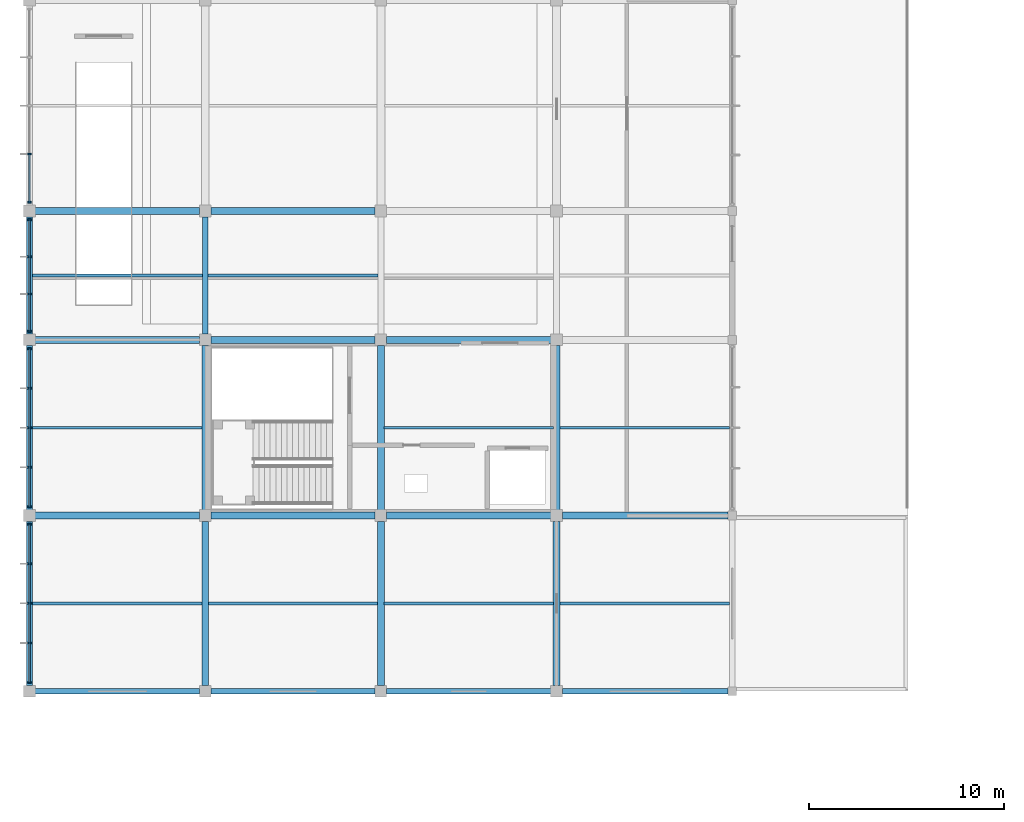
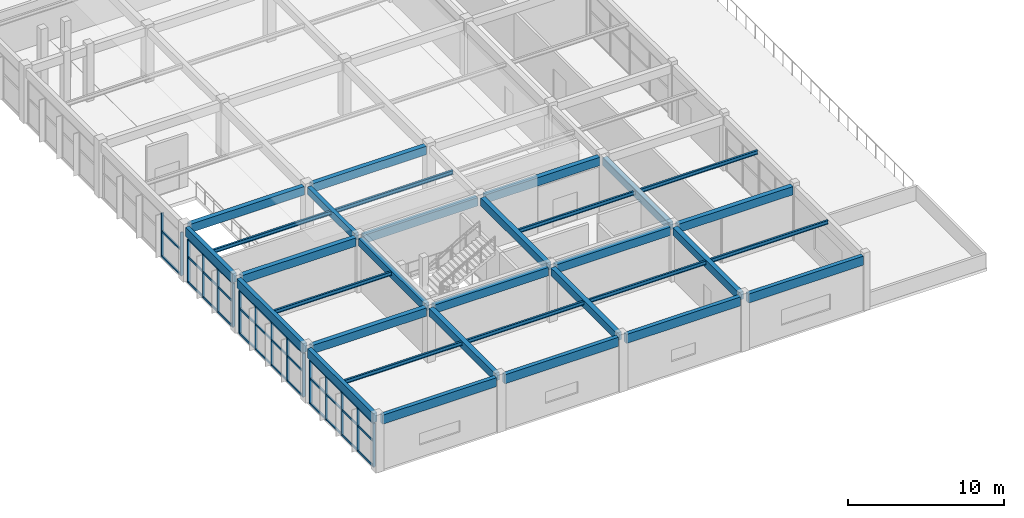
# One storey, part 8 of 89: 43 members, 32 beams, 4 elements without a shape of their own.
"""IFC4 building model written with IfcOpenShell, lengths in metres."""

from ifc_helpers import new_model, si_unit, direction, frame, origin, origin_2d, place, context, subcontext, project, spatial, rectangle, i_section, extrude, material, material_profile, profile_set, type_object, element, aggregate, save


model = new_model("IFC4")

# Units and contexts
model_context = context("Model", 3, precision=1e-05, world=origin(), true_north=direction((0.0, 1.0)))
body_context = subcontext(model_context, "Body", "Model", "MODEL_VIEW")
ifc_project = project(units=[si_unit("LENGTHUNIT", "METRE"), si_unit("AREAUNIT", "SQUARE_METRE"), si_unit("VOLUMEUNIT", "CUBIC_METRE"), si_unit("PLANEANGLEUNIT", "RADIAN"), si_unit("MASSUNIT", "GRAM", prefix="KILO")], contexts=[model_context])

# Site, building, storey
site_placement = place(None, origin())
site = spatial("IfcSite", under=ifc_project, at=site_placement, CompositionType="ELEMENT")
building_placement = place(site_placement, origin())
building = spatial("IfcBuilding", under=site, at=building_placement, Name="Suirenkawa Promenade Aquatics Centre", CompositionType="ELEMENT")
storey_placement = place(building_placement, frame((0.0, 0.0, 9.60009765625)))
storey = spatial("IfcBuildingStorey", under=building, at=storey_placement, Name="L02", CompositionType="ELEMENT", Elevation=9.60009765625)

# Beams
ifc_material_1 = material(Name="Steel IS 2062 E350 (Grade 350)", Category="steel")
ifc_material_profile_1 = material_profile(ifc_material_1, i_section(OverallWidth=0.139892578125, OverallDepth=0.300048828125, WebThickness=0.008056640625, FlangeThickness=0.012939453125, at=origin_2d()), Name="ISMB 300", Category="steel")
ifc_profile_set_1 = profile_set([ifc_material_profile_1], Name="Steel IS 2062 E350 (Grade 350)")
beam_type_1 = type_object("IfcBeamType", Name="BT-JOIST-ISMB300", PredefinedType="JOIST", material=ifc_profile_set_1)
for number, where, z_axis, x_axis, name in (
    (1, (0.14404296875, 8.699951171875, 4.087890625), (1.0, 0.0, 0.0), (0.0, 1.0, 0.0), "Secondary floor joist JS-02 BM-0690"),
    (2, (0.14404296875, 17.699951171875, 4.087890625), (1.0, 0.0, 0.0), (0.0, 1.0, 0.0), "Secondary floor joist JS-02 BM-0691"),
):
    element("IfcBeam", number, at=place(storey_placement, frame(where, z_axis=z_axis, x_axis=x_axis)), inside=storey, type_object=beam_type_1, Name=name, PredefinedType="JOIST", context=body_context, shape_type="SweptSolid", body=[
        extrude(i_section(OverallWidth=0.139892578125, OverallDepth=0.300048828125, WebThickness=0.008056640625, FlangeThickness=0.012939453125, at=origin_2d()), origin(), (0.0, 0.0, 1.0), 8.68701171875),
    ])
beam_1_placement = place(storey_placement, frame((0.14404296875, 25.5, 4.087890625), z_axis=(1.0, 0.0, 0.0), x_axis=(0.0, 1.0, 0.0)))
element("IfcBeam", 3, at=beam_1_placement, inside=storey, type_object=beam_type_1, Name="Secondary floor joist JS-02 BM-0692", PredefinedType="JOIST", context=body_context, shape_type="SweptSolid", body=[
    extrude(i_section(OverallWidth=0.139892578125, OverallDepth=0.300048828125, WebThickness=0.008056640625, FlangeThickness=0.012939453125, at=origin_2d()), origin(), (0.0, 0.0, 1.0), 8.7119140625),
])
beam_2_placement = place(storey_placement, frame((9.1689453125, 8.699951171875, 4.087890625), z_axis=(1.0, 0.0, 0.0), x_axis=(0.0, 1.0, 0.0)))
element("IfcBeam", 4, at=beam_2_placement, inside=storey, type_object=beam_type_1, Name="Secondary floor joist JS-02 BM-0702", PredefinedType="JOIST", context=body_context, shape_type="SweptSolid", body=[
    extrude(i_section(OverallWidth=0.139892578125, OverallDepth=0.300048828125, WebThickness=0.008056640625, FlangeThickness=0.012939453125, at=origin_2d()), origin(), (0.0, 0.0, 1.0), 8.662109375),
])
beam_3_placement = place(storey_placement, frame((9.14404296875, 25.5, 4.087890625), z_axis=(1.0, 0.0, 0.0), x_axis=(0.0, 1.0, 0.0)))
element("IfcBeam", 5, at=beam_3_placement, inside=storey, type_object=beam_type_1, Name="Secondary floor joist JS-02 BM-0703", PredefinedType="JOIST", context=body_context, shape_type="SweptSolid", body=[
    extrude(i_section(OverallWidth=0.139892578125, OverallDepth=0.300048828125, WebThickness=0.008056640625, FlangeThickness=0.012939453125, at=origin_2d()), origin(), (0.0, 0.0, 1.0), 8.7119140625),
])
for number, where, z_axis, x_axis, name in (
    (6, (18.1689453125, 8.699951171875, 4.087890625), (1.0, 0.0, 0.0), (0.0, 1.0, 0.0), "Secondary floor joist JS-02 BM-0712"),
    (7, (18.1689453125, 17.699951171875, 4.087890625), (1.0, 0.0, 0.0), (0.0, 1.0, 0.0), "Secondary floor joist JS-02 BM-0713"),
):
    element("IfcBeam", number, at=place(storey_placement, frame(where, z_axis=z_axis, x_axis=x_axis)), inside=storey, type_object=beam_type_1, Name=name, PredefinedType="JOIST", context=body_context, shape_type="SweptSolid", body=[
        extrude(i_section(OverallWidth=0.139892578125, OverallDepth=0.300048828125, WebThickness=0.008056640625, FlangeThickness=0.012939453125, at=origin_2d()), origin(), (0.0, 0.0, 1.0), 8.662109375),
    ])
for number, where, z_axis, x_axis, name in (
    (8, (27.1689453125, 8.699951171875, 4.087890625), (1.0, 0.0, 0.0), (0.0, 1.0, 0.0), "Secondary floor joist JS-02 BM-0724"),
    (9, (27.1689453125, 17.699951171875, 4.087890625), (1.0, 0.0, 0.0), (0.0, 1.0, 0.0), "Secondary floor joist JS-02 BM-0725"),
):
    element("IfcBeam", number, at=place(storey_placement, frame(where, z_axis=z_axis, x_axis=x_axis)), inside=storey, type_object=beam_type_1, Name=name, PredefinedType="JOIST", context=body_context, shape_type="SweptSolid", body=[
        extrude(i_section(OverallWidth=0.139892578125, OverallDepth=0.300048828125, WebThickness=0.008056640625, FlangeThickness=0.012939453125, at=origin_2d()), origin(), (0.0, 0.0, 1.0), 8.68701171875),
    ])
ifc_material_2 = material(Name="Concrete M35", Category="concrete")
ifc_material_profile_2 = material_profile(ifc_material_2, rectangle(XDim=0.300048828125, YDim=0.550048828125, at=origin_2d()), Name="RC BM 300x550", Category="concrete")
ifc_profile_set_2 = profile_set([ifc_material_profile_2], Name="Concrete M35")
beam_type_2 = type_object("IfcBeamType", Name="BT-RC-300x550", PredefinedType="BEAM", material=ifc_profile_set_2)
beam_4_placement = place(storey_placement, frame((9.0, 22.493896484375, 3.96484375), z_axis=(0.0, 1.0, 0.0), x_axis=(-1.0, 0.0, 0.0)))
element("IfcBeam", 10, at=beam_4_placement, inside=storey, type_object=beam_type_2, Name="Floor beam BM-01 BM-0644", PredefinedType="BEAM", context=body_context, shape_type="SweptSolid", body=[
    extrude(rectangle(XDim=0.300048828125, YDim=0.550048828125, at=origin_2d()), origin(), (0.0, 0.0, 1.0), 6.01220703125),
])
ifc_material_profile_3 = material_profile(ifc_material_2, rectangle(XDim=0.35009765625, YDim=0.60009765625, at=origin_2d()), Name="RC BM 350x600", Category="concrete")
ifc_profile_set_3 = profile_set([ifc_material_profile_3], Name="Concrete M35")
beam_type_3 = type_object("IfcBeamType", Name="BT-RC-350x600", PredefinedType="BEAM", material=ifc_profile_set_3)
for number, where, z_axis, x_axis, name in (
    (11, (9.0, 4.493896484375, 3.93994140625), (0.0, 1.0, 0.0), (-1.0, 0.0, 0.0), "Floor beam BM-02 BM-0642"),
    (12, (9.0, 13.493896484375, 3.93994140625), (0.0, 1.0, 0.0), (-1.0, 0.0, 0.0), "Floor beam BM-02 BM-0643"),
    (13, (18.0, 4.493896484375, 3.93994140625), (0.0, 1.0, 0.0), (-1.0, 0.0, 0.0), "Floor beam BM-02 BM-0654"),
    (14, (18.0, 13.493896484375, 3.93994140625), (0.0, 1.0, 0.0), (-1.0, 0.0, 0.0), "Floor beam BM-02 BM-0655"),
    (15, (27.0, 4.493896484375, 3.93994140625), (0.0, 1.0, 0.0), (-1.0, 0.0, 0.0), "Floor beam BM-02 BM-0666"),
    (16, (27.0, 13.493896484375, 3.93994140625), (0.0, 1.0, 0.0), (-1.0, 0.0, 0.0), "Floor beam BM-02 BM-0667"),
):
    element("IfcBeam", number, at=place(storey_placement, frame(where, z_axis=z_axis, x_axis=x_axis)), inside=storey, type_object=beam_type_3, Name=name, PredefinedType="BEAM", context=body_context, shape_type="SweptSolid", body=[
        extrude(rectangle(XDim=0.35009765625, YDim=0.60009765625, at=origin_2d()), origin(), (0.0, 0.0, 1.0), 8.412109375),
    ])
ifc_material_profile_4 = material_profile(ifc_material_2, rectangle(XDim=0.35009765625, YDim=0.64990234375, at=origin_2d()), Name="RC BM 350x650", Category="concrete")
ifc_profile_set_4 = profile_set([ifc_material_profile_4], Name="Concrete M35")
beam_type_4 = type_object("IfcBeamType", Name="BT-RC-350x650", PredefinedType="BEAM", material=ifc_profile_set_4)
for number, where, z_axis, x_axis, name in (
    (17, (0.2939453125, 13.199951171875, 3.914794921875), (1.0, 0.0, 0.0), (0.0, 1.0, 0.0), "Floor beam BM-03 BM-0582"),
    (18, (9.2939453125, 13.199951171875, 3.914794921875), (1.0, 0.0, 0.0), (0.0, 1.0, 0.0), "Floor beam BM-03 BM-0583"),
    (19, (18.2939453125, 13.199951171875, 3.914794921875), (1.0, 0.0, 0.0), (0.0, 1.0, 0.0), "Floor beam BM-03 BM-0584"),
):
    element("IfcBeam", number, at=place(storey_placement, frame(where, z_axis=z_axis, x_axis=x_axis)), inside=storey, type_object=beam_type_4, Name=name, PredefinedType="BEAM", context=body_context, shape_type="SweptSolid", body=[
        extrude(rectangle(XDim=0.35009765625, YDim=0.64990234375, at=origin_2d()), origin(), (0.0, 0.0, 1.0), 8.412109375),
    ])
beam_5_placement = place(storey_placement, frame((27.2939453125, 13.199951171875, 3.914794921875), z_axis=(1.0, 0.0, 0.0), x_axis=(0.0, 1.0, 0.0)))
element("IfcBeam", 20, at=beam_5_placement, inside=storey, type_object=beam_type_4, Name="Floor beam BM-03 BM-0585", PredefinedType="BEAM", context=body_context, shape_type="SweptSolid", body=[
    extrude(rectangle(XDim=0.35009765625, YDim=0.64990234375, at=origin_2d()), origin(), (0.0, 0.0, 1.0), 8.487060546875),
])
for number, where, z_axis, x_axis, name in (
    (21, (0.2939453125, 22.199951171875, 3.914794921875), (1.0, 0.0, 0.0), (0.0, 1.0, 0.0), "Floor beam BM-03 BM-0586"),
    (22, (9.2939453125, 22.199951171875, 3.914794921875), (1.0, 0.0, 0.0), (0.0, 1.0, 0.0), "Floor beam BM-03 BM-0587"),
    (23, (18.2939453125, 22.199951171875, 3.914794921875), (1.0, 0.0, 0.0), (0.0, 1.0, 0.0), "Floor beam BM-03 BM-0588"),
    (24, (0.2939453125, 28.800048828125, 3.914794921875), (1.0, 0.0, 0.0), (0.0, 1.0, 0.0), "Floor beam BM-03 BM-0590"),
    (25, (9.2939453125, 28.800048828125, 3.914794921875), (1.0, 0.0, 0.0), (0.0, 1.0, 0.0), "Floor beam BM-03 BM-0591"),
):
    element("IfcBeam", number, at=place(storey_placement, frame(where, z_axis=z_axis, x_axis=x_axis)), inside=storey, type_object=beam_type_4, Name=name, PredefinedType="BEAM", context=body_context, shape_type="SweptSolid", body=[
        extrude(rectangle(XDim=0.35009765625, YDim=0.64990234375, at=origin_2d()), origin(), (0.0, 0.0, 1.0), 8.412109375),
    ])
ifc_material_3 = material(Name="Concrete M40", Category="concrete")
ifc_material_profile_5 = material_profile(ifc_material_3, rectangle(XDim=0.300048828125, YDim=0.699951171875, at=origin_2d()), Name="RC SPANDREL 300x700", Category="concrete")
ifc_profile_set_5 = profile_set([ifc_material_profile_5], Name="Concrete M40")
beam_type_5 = type_object("IfcBeamType", Name="BT-SPANDREL-300x700", PredefinedType="SPANDREL", material=ifc_profile_set_5)
for number, where, z_axis, x_axis, name in (
    (26, (0.2939453125, 4.199951171875, 3.889892578125), (1.0, 0.0, 0.0), (0.0, 1.0, 0.0), "Floor beam SP-01 BM-0578"),
    (27, (9.2939453125, 4.199951171875, 3.889892578125), (1.0, 0.0, 0.0), (0.0, 1.0, 0.0), "Floor beam SP-01 BM-0579"),
    (28, (18.2939453125, 4.199951171875, 3.889892578125), (1.0, 0.0, 0.0), (0.0, 1.0, 0.0), "Floor beam SP-01 BM-0580"),
):
    element("IfcBeam", number, at=place(storey_placement, frame(where, z_axis=z_axis, x_axis=x_axis)), inside=storey, type_object=beam_type_5, Name=name, PredefinedType="SPANDREL", context=body_context, shape_type="SweptSolid", body=[
        extrude(rectangle(XDim=0.300048828125, YDim=0.699951171875, at=origin_2d()), origin(), (0.0, 0.0, 1.0), 8.412109375),
    ])
beam_6_placement = place(storey_placement, frame((27.2939453125, 4.199951171875, 3.889892578125), z_axis=(1.0, 0.0, 0.0), x_axis=(0.0, 1.0, 0.0)))
element("IfcBeam", 29, at=beam_6_placement, inside=storey, type_object=beam_type_5, Name="Floor beam SP-01 BM-0581", PredefinedType="SPANDREL", context=body_context, shape_type="SweptSolid", body=[
    extrude(rectangle(XDim=0.300048828125, YDim=0.699951171875, at=origin_2d()), origin(), (0.0, 0.0, 1.0), 8.487060546875),
])
for number, where, z_axis, x_axis, name in (
    (30, (0.0, 4.493896484375, 3.889892578125), (0.0, 1.0, 0.0), (-1.0, 0.0, 0.0), "Floor beam SP-01 BM-0630"),
    (31, (0.0, 13.493896484375, 3.889892578125), (0.0, 1.0, 0.0), (-1.0, 0.0, 0.0), "Floor beam SP-01 BM-0631"),
):
    element("IfcBeam", number, at=place(storey_placement, frame(where, z_axis=z_axis, x_axis=x_axis)), inside=storey, type_object=beam_type_5, Name=name, PredefinedType="SPANDREL", context=body_context, shape_type="SweptSolid", body=[
        extrude(rectangle(XDim=0.300048828125, YDim=0.699951171875, at=origin_2d()), origin(), (0.0, 0.0, 1.0), 8.412109375),
    ])
beam_7_placement = place(storey_placement, frame((0.0, 22.493896484375, 3.889892578125), z_axis=(0.0, 1.0, 0.0), x_axis=(-1.0, 0.0, 0.0)))
element("IfcBeam", 32, at=beam_7_placement, inside=storey, type_object=beam_type_5, Name="Floor beam SP-01 BM-0632", PredefinedType="SPANDREL", context=body_context, shape_type="SweptSolid", body=[
    extrude(rectangle(XDim=0.300048828125, YDim=0.699951171875, at=origin_2d()), origin(), (0.0, 0.0, 1.0), 6.01220703125),
])

# Curtain wall, members
ifc_material_4 = material(Name="Anodised aluminium 6063-T6", Category="aluminium")
curtain_wall_type_1 = type_object("IfcCurtainWallType", Name="CWAT-V5WL02-60", PredefinedType="NOTDEFINED", material=ifc_material_4)
curtain_wall_1_placement = place(storey_placement, origin())
curtain_wall_1 = element("IfcCurtainWall", 33, at=curtain_wall_1_placement, inside=storey, type_object=curtain_wall_type_1, Name="Curtain wall CWA-60 CW-113", PredefinedType="NOTDEFINED")
ifc_material_profile_6 = material_profile(ifc_material_4, rectangle(XDim=0.094970703125, YDim=0.18994140625, at=origin_2d()), Name="ALU MULL 95x190", Category="aluminium")
ifc_profile_set_6 = profile_set([ifc_material_profile_6], Name="Anodised aluminium 6063-T6")
member_type_1 = type_object("IfcMemberType", Name="CWM-190x95", PredefinedType="MULLION", material=ifc_profile_set_6)
member_1_placement = place(storey_placement, frame((0.0, 4.64892578125, 0.0), z_axis=(0.0, 0.0, 1.0), x_axis=(0.0, 1.0, 0.0)))
member_1 = element("IfcMember", 34, at=member_1_placement, type_object=member_type_1, Name="Mullion ML-02 CWM-02265", PredefinedType="MULLION", context=body_context, shape_type="SweptSolid", body=[
    extrude(rectangle(XDim=0.094970703125, YDim=0.18994140625, at=origin_2d()), origin(), (0.0, 0.0, 1.0), 3.369873046875),
])
member_2_placement = place(storey_placement, frame((0.0, 6.674560546875, 0.0), z_axis=(0.0, 0.0, 1.0), x_axis=(0.0, 1.0, 0.0)))
member_2 = element("IfcMember", 35, at=member_2_placement, type_object=member_type_1, Name="Mullion ML-02 CWM-02266", PredefinedType="MULLION", context=body_context, shape_type="SweptSolid", body=[
    extrude(rectangle(XDim=0.094970703125, YDim=0.18994140625, at=origin_2d()), origin(), (0.0, 0.0, 1.0), 3.369873046875),
])
member_3_placement = place(storey_placement, frame((0.0, 8.699951171875, 0.0), z_axis=(0.0, 0.0, 1.0), x_axis=(0.0, 1.0, 0.0)))
member_3 = element("IfcMember", 36, at=member_3_placement, type_object=member_type_1, Name="Mullion ML-02 CWM-02267", PredefinedType="MULLION", context=body_context, shape_type="SweptSolid", body=[
    extrude(rectangle(XDim=0.094970703125, YDim=0.18994140625, at=origin_2d()), origin(), (0.0, 0.0, 1.0), 3.369873046875),
])
member_4_placement = place(storey_placement, frame((0.0, 10.7255859375, 0.0), z_axis=(0.0, 0.0, 1.0), x_axis=(0.0, 1.0, 0.0)))
member_4 = element("IfcMember", 37, at=member_4_placement, type_object=member_type_1, Name="Mullion ML-02 CWM-02268", PredefinedType="MULLION", context=body_context, shape_type="SweptSolid", body=[
    extrude(rectangle(XDim=0.094970703125, YDim=0.18994140625, at=origin_2d()), origin(), (0.0, 0.0, 1.0), 3.369873046875),
])
member_5_placement = place(storey_placement, frame((0.0, 12.7509765625, 0.0), z_axis=(0.0, 0.0, 1.0), x_axis=(0.0, 1.0, 0.0)))
member_5 = element("IfcMember", 38, at=member_5_placement, type_object=member_type_1, Name="Mullion ML-02 CWM-02269", PredefinedType="MULLION", context=body_context, shape_type="SweptSolid", body=[
    extrude(rectangle(XDim=0.094970703125, YDim=0.18994140625, at=origin_2d()), origin(), (0.0, 0.0, 1.0), 3.369873046875),
])

curtain_wall_2_placement = place(storey_placement, origin())
curtain_wall_2 = element("IfcCurtainWall", 39, at=curtain_wall_2_placement, inside=storey, type_object=curtain_wall_type_1, Name="Curtain wall CWA-60 CW-114", PredefinedType="NOTDEFINED")
member_6_placement = place(storey_placement, frame((0.0, 13.64892578125, 0.0), z_axis=(0.0, 0.0, 1.0), x_axis=(0.0, 1.0, 0.0)))
member_6 = element("IfcMember", 40, at=member_6_placement, type_object=member_type_1, Name="Mullion ML-02 CWM-02287", PredefinedType="MULLION", context=body_context, shape_type="SweptSolid", body=[
    extrude(rectangle(XDim=0.094970703125, YDim=0.18994140625, at=origin_2d()), origin(), (0.0, 0.0, 1.0), 3.369873046875),
])
member_7_placement = place(storey_placement, frame((0.0, 15.674560546875, 0.0), z_axis=(0.0, 0.0, 1.0), x_axis=(0.0, 1.0, 0.0)))
member_7 = element("IfcMember", 41, at=member_7_placement, type_object=member_type_1, Name="Mullion ML-02 CWM-02288", PredefinedType="MULLION", context=body_context, shape_type="SweptSolid", body=[
    extrude(rectangle(XDim=0.094970703125, YDim=0.18994140625, at=origin_2d()), origin(), (0.0, 0.0, 1.0), 3.369873046875),
])
member_8_placement = place(storey_placement, frame((0.0, 17.699951171875, 0.0), z_axis=(0.0, 0.0, 1.0), x_axis=(0.0, 1.0, 0.0)))
member_8 = element("IfcMember", 42, at=member_8_placement, type_object=member_type_1, Name="Mullion ML-02 CWM-02289", PredefinedType="MULLION", context=body_context, shape_type="SweptSolid", body=[
    extrude(rectangle(XDim=0.094970703125, YDim=0.18994140625, at=origin_2d()), origin(), (0.0, 0.0, 1.0), 3.369873046875),
])
member_9_placement = place(storey_placement, frame((0.0, 19.7255859375, 0.0), z_axis=(0.0, 0.0, 1.0), x_axis=(0.0, 1.0, 0.0)))
member_9 = element("IfcMember", 43, at=member_9_placement, type_object=member_type_1, Name="Mullion ML-02 CWM-02290", PredefinedType="MULLION", context=body_context, shape_type="SweptSolid", body=[
    extrude(rectangle(XDim=0.094970703125, YDim=0.18994140625, at=origin_2d()), origin(), (0.0, 0.0, 1.0), 3.369873046875),
])
member_10_placement = place(storey_placement, frame((0.0, 21.7509765625, 0.0), z_axis=(0.0, 0.0, 1.0), x_axis=(0.0, 1.0, 0.0)))
member_10 = element("IfcMember", 44, at=member_10_placement, type_object=member_type_1, Name="Mullion ML-02 CWM-02291", PredefinedType="MULLION", context=body_context, shape_type="SweptSolid", body=[
    extrude(rectangle(XDim=0.094970703125, YDim=0.18994140625, at=origin_2d()), origin(), (0.0, 0.0, 1.0), 3.369873046875),
])

curtain_wall_type_2 = type_object("IfcCurtainWallType", Name="CWAT-V5WL02-62", PredefinedType="NOTDEFINED", material=ifc_material_4)
curtain_wall_3_placement = place(storey_placement, origin())
curtain_wall_3 = element("IfcCurtainWall", 45, at=curtain_wall_3_placement, inside=storey, type_object=curtain_wall_type_2, Name="Curtain wall CWA-62 CW-116", PredefinedType="NOTDEFINED")
member_11_placement = place(storey_placement, frame((0.0, 22.64892578125, 0.0), z_axis=(0.0, 0.0, 1.0), x_axis=(0.0, 1.0, 0.0)))
member_11 = element("IfcMember", 46, at=member_11_placement, type_object=member_type_1, Name="Mullion ML-02 CWM-02331", PredefinedType="MULLION", context=body_context, shape_type="SweptSolid", body=[
    extrude(rectangle(XDim=0.094970703125, YDim=0.18994140625, at=origin_2d()), origin(), (0.0, 0.0, 1.0), 3.369873046875),
])
member_12_placement = place(storey_placement, frame((0.0, 24.549560546875, 0.0), z_axis=(0.0, 0.0, 1.0), x_axis=(0.0, 1.0, 0.0)))
member_12 = element("IfcMember", 47, at=member_12_placement, type_object=member_type_1, Name="Mullion ML-02 CWM-02332", PredefinedType="MULLION", context=body_context, shape_type="SweptSolid", body=[
    extrude(rectangle(XDim=0.094970703125, YDim=0.18994140625, at=origin_2d()), origin(), (0.0, 0.0, 1.0), 3.369873046875),
])
member_13_placement = place(storey_placement, frame((0.0, 26.450439453125, 0.0), z_axis=(0.0, 0.0, 1.0), x_axis=(0.0, 1.0, 0.0)))
member_13 = element("IfcMember", 48, at=member_13_placement, type_object=member_type_1, Name="Mullion ML-02 CWM-02333", PredefinedType="MULLION", context=body_context, shape_type="SweptSolid", body=[
    extrude(rectangle(XDim=0.094970703125, YDim=0.18994140625, at=origin_2d()), origin(), (0.0, 0.0, 1.0), 3.369873046875),
])
member_14_placement = place(storey_placement, frame((0.0, 28.35107421875, 0.0), z_axis=(0.0, 0.0, 1.0), x_axis=(0.0, 1.0, 0.0)))
member_14 = element("IfcMember", 49, at=member_14_placement, type_object=member_type_1, Name="Mullion ML-02 CWM-02334", PredefinedType="MULLION", context=body_context, shape_type="SweptSolid", body=[
    extrude(rectangle(XDim=0.094970703125, YDim=0.18994140625, at=origin_2d()), origin(), (0.0, 0.0, 1.0), 3.369873046875),
])

curtain_wall_type_3 = type_object("IfcCurtainWallType", Name="CWAT-V5WL02-63", PredefinedType="NOTDEFINED", material=ifc_material_4)
curtain_wall_4_placement = place(storey_placement, origin())
curtain_wall_4 = element("IfcCurtainWall", 50, at=curtain_wall_4_placement, inside=storey, type_object=curtain_wall_type_3, Name="Curtain wall CWA-63 CW-117", PredefinedType="NOTDEFINED")
member_15_placement = place(storey_placement, frame((0.0, 29.2490234375, 0.0), z_axis=(0.0, 0.0, 1.0), x_axis=(0.0, 1.0, 0.0)))
member_15 = element("IfcMember", 51, at=member_15_placement, type_object=member_type_1, Name="Mullion ML-02 CWM-02348", PredefinedType="MULLION", context=body_context, shape_type="SweptSolid", body=[
    extrude(rectangle(XDim=0.094970703125, YDim=0.18994140625, at=origin_2d()), origin(), (0.0, 0.0, 1.0), 3.369873046875),
])
member_16_placement = place(storey_placement, frame((0.0, 31.724609375, 0.0), z_axis=(0.0, 0.0, 1.0), x_axis=(0.0, 1.0, 0.0)))
member_16 = element("IfcMember", 52, at=member_16_placement, type_object=member_type_1, Name="Mullion ML-02 CWM-02349", PredefinedType="MULLION", context=body_context, shape_type="SweptSolid", body=[
    extrude(rectangle(XDim=0.094970703125, YDim=0.18994140625, at=origin_2d()), origin(), (0.0, 0.0, 1.0), 3.369873046875),
])

# Member
ifc_material_profile_7 = material_profile(ifc_material_4, rectangle(XDim=0.094970703125, YDim=0.14990234375, at=origin_2d()), Name="ALU TRAN 95x150", Category="aluminium")
ifc_profile_set_7 = profile_set([ifc_material_profile_7], Name="Anodised aluminium 6063-T6")
member_type_2 = type_object("IfcMemberType", Name="CWT-150x95", PredefinedType="USERDEFINED", material=ifc_profile_set_7)
member_17_placement = place(storey_placement, frame((0.0, 4.64892578125, 0.0), z_axis=(0.0, 1.0, 0.0), x_axis=(-1.0, 0.0, 0.0)))
member_17 = element("IfcMember", 53, at=member_17_placement, type_object=member_type_2, Name="Transom TR-02 CWT-02270", ObjectType="TRANSOM", PredefinedType="USERDEFINED", context=body_context, shape_type="SweptSolid", body=[
    extrude(rectangle(XDim=0.094970703125, YDim=0.14990234375, at=origin_2d()), origin(), (0.0, 0.0, 1.0), 2.025634765625),
])

member_18_placement = place(storey_placement, frame((0.0, 6.674560546875, 0.0), z_axis=(0.0, 1.0, 0.0), x_axis=(-1.0, 0.0, 0.0)))
member_18 = element("IfcMember", 54, at=member_18_placement, type_object=member_type_2, Name="Transom TR-02 CWT-02271", ObjectType="TRANSOM", PredefinedType="USERDEFINED", context=body_context, shape_type="SweptSolid", body=[
    extrude(rectangle(XDim=0.094970703125, YDim=0.14990234375, at=origin_2d()), origin(), (0.0, 0.0, 1.0), 2.025390625),
])

member_19_placement = place(storey_placement, frame((0.0, 8.699951171875, 0.0), z_axis=(0.0, 1.0, 0.0), x_axis=(-1.0, 0.0, 0.0)))
member_19 = element("IfcMember", 55, at=member_19_placement, type_object=member_type_2, Name="Transom TR-02 CWT-02272", ObjectType="TRANSOM", PredefinedType="USERDEFINED", context=body_context, shape_type="SweptSolid", body=[
    extrude(rectangle(XDim=0.094970703125, YDim=0.14990234375, at=origin_2d()), origin(), (0.0, 0.0, 1.0), 2.025634765625),
])

member_20_placement = place(storey_placement, frame((0.0, 10.7255859375, 0.0), z_axis=(0.0, 1.0, 0.0), x_axis=(-1.0, 0.0, 0.0)))
member_20 = element("IfcMember", 56, at=member_20_placement, type_object=member_type_2, Name="Transom TR-02 CWT-02273", ObjectType="TRANSOM", PredefinedType="USERDEFINED", context=body_context, shape_type="SweptSolid", body=[
    extrude(rectangle(XDim=0.094970703125, YDim=0.14990234375, at=origin_2d()), origin(), (0.0, 0.0, 1.0), 2.025390625),
])

member_21_placement = place(storey_placement, frame((0.0, 4.64892578125, 1.949951171875), z_axis=(0.0, 1.0, 0.0), x_axis=(-1.0, 0.0, 0.0)))
member_21 = element("IfcMember", 57, at=member_21_placement, type_object=member_type_2, Name="Transom TR-02 CWT-02274", ObjectType="TRANSOM", PredefinedType="USERDEFINED", context=body_context, shape_type="SweptSolid", body=[
    extrude(rectangle(XDim=0.094970703125, YDim=0.14990234375, at=origin_2d()), origin(), (0.0, 0.0, 1.0), 2.025634765625),
])

member_22_placement = place(storey_placement, frame((0.0, 6.674560546875, 1.949951171875), z_axis=(0.0, 1.0, 0.0), x_axis=(-1.0, 0.0, 0.0)))
member_22 = element("IfcMember", 58, at=member_22_placement, type_object=member_type_2, Name="Transom TR-02 CWT-02275", ObjectType="TRANSOM", PredefinedType="USERDEFINED", context=body_context, shape_type="SweptSolid", body=[
    extrude(rectangle(XDim=0.094970703125, YDim=0.14990234375, at=origin_2d()), origin(), (0.0, 0.0, 1.0), 2.025390625),
])

member_23_placement = place(storey_placement, frame((0.0, 8.699951171875, 1.949951171875), z_axis=(0.0, 1.0, 0.0), x_axis=(-1.0, 0.0, 0.0)))
member_23 = element("IfcMember", 59, at=member_23_placement, type_object=member_type_2, Name="Transom TR-02 CWT-02276", ObjectType="TRANSOM", PredefinedType="USERDEFINED", context=body_context, shape_type="SweptSolid", body=[
    extrude(rectangle(XDim=0.094970703125, YDim=0.14990234375, at=origin_2d()), origin(), (0.0, 0.0, 1.0), 2.025634765625),
])

member_24_placement = place(storey_placement, frame((0.0, 10.7255859375, 1.949951171875), z_axis=(0.0, 1.0, 0.0), x_axis=(-1.0, 0.0, 0.0)))
member_24 = element("IfcMember", 60, at=member_24_placement, type_object=member_type_2, Name="Transom TR-02 CWT-02277", ObjectType="TRANSOM", PredefinedType="USERDEFINED", context=body_context, shape_type="SweptSolid", body=[
    extrude(rectangle(XDim=0.094970703125, YDim=0.14990234375, at=origin_2d()), origin(), (0.0, 0.0, 1.0), 2.025390625),
])

member_25_placement = place(storey_placement, frame((0.0, 4.64892578125, 3.369873046875), z_axis=(0.0, 1.0, 0.0), x_axis=(-1.0, 0.0, 0.0)))
member_25 = element("IfcMember", 61, at=member_25_placement, type_object=member_type_2, Name="Roofline transom TR-02 CWT-02278", ObjectType="TRANSOM", PredefinedType="USERDEFINED", context=body_context, shape_type="SweptSolid", body=[
    extrude(rectangle(XDim=0.094970703125, YDim=0.14990234375, at=origin_2d()), origin(), (0.0, 0.0, 1.0), 8.10205078125),
])

aggregate(curtain_wall_1, [member_1, member_2, member_3, member_4, member_5, member_17, member_18, member_19, member_20, member_21, member_22, member_23, member_24, member_25])

member_26_placement = place(storey_placement, frame((0.0, 13.64892578125, 0.0), z_axis=(0.0, 1.0, 0.0), x_axis=(-1.0, 0.0, 0.0)))
member_26 = element("IfcMember", 62, at=member_26_placement, type_object=member_type_2, Name="Transom TR-02 CWT-02292", ObjectType="TRANSOM", PredefinedType="USERDEFINED", context=body_context, shape_type="SweptSolid", body=[
    extrude(rectangle(XDim=0.094970703125, YDim=0.14990234375, at=origin_2d()), origin(), (0.0, 0.0, 1.0), 2.025634765625),
])

member_27_placement = place(storey_placement, frame((0.0, 15.674560546875, 0.0), z_axis=(0.0, 1.0, 0.0), x_axis=(-1.0, 0.0, 0.0)))
member_27 = element("IfcMember", 63, at=member_27_placement, type_object=member_type_2, Name="Transom TR-02 CWT-02293", ObjectType="TRANSOM", PredefinedType="USERDEFINED", context=body_context, shape_type="SweptSolid", body=[
    extrude(rectangle(XDim=0.094970703125, YDim=0.14990234375, at=origin_2d()), origin(), (0.0, 0.0, 1.0), 2.025390625),
])

member_28_placement = place(storey_placement, frame((0.0, 17.699951171875, 0.0), z_axis=(0.0, 1.0, 0.0), x_axis=(-1.0, 0.0, 0.0)))
member_28 = element("IfcMember", 64, at=member_28_placement, type_object=member_type_2, Name="Transom TR-02 CWT-02294", ObjectType="TRANSOM", PredefinedType="USERDEFINED", context=body_context, shape_type="SweptSolid", body=[
    extrude(rectangle(XDim=0.094970703125, YDim=0.14990234375, at=origin_2d()), origin(), (0.0, 0.0, 1.0), 2.025634765625),
])

member_29_placement = place(storey_placement, frame((0.0, 19.7255859375, 0.0), z_axis=(0.0, 1.0, 0.0), x_axis=(-1.0, 0.0, 0.0)))
member_29 = element("IfcMember", 65, at=member_29_placement, type_object=member_type_2, Name="Transom TR-02 CWT-02295", ObjectType="TRANSOM", PredefinedType="USERDEFINED", context=body_context, shape_type="SweptSolid", body=[
    extrude(rectangle(XDim=0.094970703125, YDim=0.14990234375, at=origin_2d()), origin(), (0.0, 0.0, 1.0), 2.025390625),
])

member_30_placement = place(storey_placement, frame((0.0, 13.64892578125, 1.949951171875), z_axis=(0.0, 1.0, 0.0), x_axis=(-1.0, 0.0, 0.0)))
member_30 = element("IfcMember", 66, at=member_30_placement, type_object=member_type_2, Name="Transom TR-02 CWT-02296", ObjectType="TRANSOM", PredefinedType="USERDEFINED", context=body_context, shape_type="SweptSolid", body=[
    extrude(rectangle(XDim=0.094970703125, YDim=0.14990234375, at=origin_2d()), origin(), (0.0, 0.0, 1.0), 2.025634765625),
])

member_31_placement = place(storey_placement, frame((0.0, 15.674560546875, 1.949951171875), z_axis=(0.0, 1.0, 0.0), x_axis=(-1.0, 0.0, 0.0)))
member_31 = element("IfcMember", 67, at=member_31_placement, type_object=member_type_2, Name="Transom TR-02 CWT-02297", ObjectType="TRANSOM", PredefinedType="USERDEFINED", context=body_context, shape_type="SweptSolid", body=[
    extrude(rectangle(XDim=0.094970703125, YDim=0.14990234375, at=origin_2d()), origin(), (0.0, 0.0, 1.0), 2.025390625),
])

member_32_placement = place(storey_placement, frame((0.0, 17.699951171875, 1.949951171875), z_axis=(0.0, 1.0, 0.0), x_axis=(-1.0, 0.0, 0.0)))
member_32 = element("IfcMember", 68, at=member_32_placement, type_object=member_type_2, Name="Transom TR-02 CWT-02298", ObjectType="TRANSOM", PredefinedType="USERDEFINED", context=body_context, shape_type="SweptSolid", body=[
    extrude(rectangle(XDim=0.094970703125, YDim=0.14990234375, at=origin_2d()), origin(), (0.0, 0.0, 1.0), 2.025634765625),
])

member_33_placement = place(storey_placement, frame((0.0, 19.7255859375, 1.949951171875), z_axis=(0.0, 1.0, 0.0), x_axis=(-1.0, 0.0, 0.0)))
member_33 = element("IfcMember", 69, at=member_33_placement, type_object=member_type_2, Name="Transom TR-02 CWT-02299", ObjectType="TRANSOM", PredefinedType="USERDEFINED", context=body_context, shape_type="SweptSolid", body=[
    extrude(rectangle(XDim=0.094970703125, YDim=0.14990234375, at=origin_2d()), origin(), (0.0, 0.0, 1.0), 2.025390625),
])

member_34_placement = place(storey_placement, frame((0.0, 13.64892578125, 3.369873046875), z_axis=(0.0, 1.0, 0.0), x_axis=(-1.0, 0.0, 0.0)))
member_34 = element("IfcMember", 70, at=member_34_placement, type_object=member_type_2, Name="Roofline transom TR-02 CWT-02300", ObjectType="TRANSOM", PredefinedType="USERDEFINED", context=body_context, shape_type="SweptSolid", body=[
    extrude(rectangle(XDim=0.094970703125, YDim=0.14990234375, at=origin_2d()), origin(), (0.0, 0.0, 1.0), 8.10205078125),
])

aggregate(curtain_wall_2, [member_6, member_7, member_8, member_9, member_10, member_26, member_27, member_28, member_29, member_30, member_31, member_32, member_33, member_34])

member_35_placement = place(storey_placement, frame((0.0, 22.64892578125, 0.0), z_axis=(0.0, 1.0, 0.0), x_axis=(-1.0, 0.0, 0.0)))
member_35 = element("IfcMember", 71, at=member_35_placement, type_object=member_type_2, Name="Transom TR-02 CWT-02335", ObjectType="TRANSOM", PredefinedType="USERDEFINED", context=body_context, shape_type="SweptSolid", body=[
    extrude(rectangle(XDim=0.094970703125, YDim=0.14990234375, at=origin_2d()), origin(), (0.0, 0.0, 1.0), 1.900634765625),
])

member_36_placement = place(storey_placement, frame((0.0, 24.549560546875, 0.0), z_axis=(0.0, 1.0, 0.0), x_axis=(-1.0, 0.0, 0.0)))
member_36 = element("IfcMember", 72, at=member_36_placement, type_object=member_type_2, Name="Transom TR-02 CWT-02336", ObjectType="TRANSOM", PredefinedType="USERDEFINED", context=body_context, shape_type="SweptSolid", body=[
    extrude(rectangle(XDim=0.094970703125, YDim=0.14990234375, at=origin_2d()), origin(), (0.0, 0.0, 1.0), 1.90087890625),
])

member_37_placement = place(storey_placement, frame((0.0, 26.450439453125, 0.0), z_axis=(0.0, 1.0, 0.0), x_axis=(-1.0, 0.0, 0.0)))
member_37 = element("IfcMember", 73, at=member_37_placement, type_object=member_type_2, Name="Transom TR-02 CWT-02337", ObjectType="TRANSOM", PredefinedType="USERDEFINED", context=body_context, shape_type="SweptSolid", body=[
    extrude(rectangle(XDim=0.094970703125, YDim=0.14990234375, at=origin_2d()), origin(), (0.0, 0.0, 1.0), 1.900634765625),
])

member_38_placement = place(storey_placement, frame((0.0, 22.64892578125, 1.949951171875), z_axis=(0.0, 1.0, 0.0), x_axis=(-1.0, 0.0, 0.0)))
member_38 = element("IfcMember", 74, at=member_38_placement, type_object=member_type_2, Name="Transom TR-02 CWT-02338", ObjectType="TRANSOM", PredefinedType="USERDEFINED", context=body_context, shape_type="SweptSolid", body=[
    extrude(rectangle(XDim=0.094970703125, YDim=0.14990234375, at=origin_2d()), origin(), (0.0, 0.0, 1.0), 1.900634765625),
])

member_39_placement = place(storey_placement, frame((0.0, 24.549560546875, 1.949951171875), z_axis=(0.0, 1.0, 0.0), x_axis=(-1.0, 0.0, 0.0)))
member_39 = element("IfcMember", 75, at=member_39_placement, type_object=member_type_2, Name="Transom TR-02 CWT-02339", ObjectType="TRANSOM", PredefinedType="USERDEFINED", context=body_context, shape_type="SweptSolid", body=[
    extrude(rectangle(XDim=0.094970703125, YDim=0.14990234375, at=origin_2d()), origin(), (0.0, 0.0, 1.0), 1.90087890625),
])

member_40_placement = place(storey_placement, frame((0.0, 26.450439453125, 1.949951171875), z_axis=(0.0, 1.0, 0.0), x_axis=(-1.0, 0.0, 0.0)))
member_40 = element("IfcMember", 76, at=member_40_placement, type_object=member_type_2, Name="Transom TR-02 CWT-02340", ObjectType="TRANSOM", PredefinedType="USERDEFINED", context=body_context, shape_type="SweptSolid", body=[
    extrude(rectangle(XDim=0.094970703125, YDim=0.14990234375, at=origin_2d()), origin(), (0.0, 0.0, 1.0), 1.900634765625),
])

member_41_placement = place(storey_placement, frame((0.0, 22.64892578125, 3.369873046875), z_axis=(0.0, 1.0, 0.0), x_axis=(-1.0, 0.0, 0.0)))
member_41 = element("IfcMember", 77, at=member_41_placement, type_object=member_type_2, Name="Roofline transom TR-02 CWT-02341", ObjectType="TRANSOM", PredefinedType="USERDEFINED", context=body_context, shape_type="SweptSolid", body=[
    extrude(rectangle(XDim=0.094970703125, YDim=0.14990234375, at=origin_2d()), origin(), (0.0, 0.0, 1.0), 5.7021484375),
])

aggregate(curtain_wall_3, [member_11, member_12, member_13, member_14, member_35, member_36, member_37, member_38, member_39, member_40, member_41])

member_42_placement = place(storey_placement, frame((0.0, 29.2490234375, 0.0), z_axis=(0.0, 1.0, 0.0), x_axis=(-1.0, 0.0, 0.0)))
member_42 = element("IfcMember", 78, at=member_42_placement, type_object=member_type_2, Name="Transom TR-02 CWT-02353", ObjectType="TRANSOM", PredefinedType="USERDEFINED", context=body_context, shape_type="SweptSolid", body=[
    extrude(rectangle(XDim=0.094970703125, YDim=0.14990234375, at=origin_2d()), origin(), (0.0, 0.0, 1.0), 2.4755859375),
])

member_43_placement = place(storey_placement, frame((0.0, 29.2490234375, 1.949951171875), z_axis=(0.0, 1.0, 0.0), x_axis=(-1.0, 0.0, 0.0)))
member_43 = element("IfcMember", 79, at=member_43_placement, type_object=member_type_2, Name="Transom TR-02 CWT-02357", ObjectType="TRANSOM", PredefinedType="USERDEFINED", context=body_context, shape_type="SweptSolid", body=[
    extrude(rectangle(XDim=0.094970703125, YDim=0.14990234375, at=origin_2d()), origin(), (0.0, 0.0, 1.0), 2.4755859375),
])

aggregate(curtain_wall_4, [member_15, member_16, member_42, member_43])

save(model, "model.ifc")
